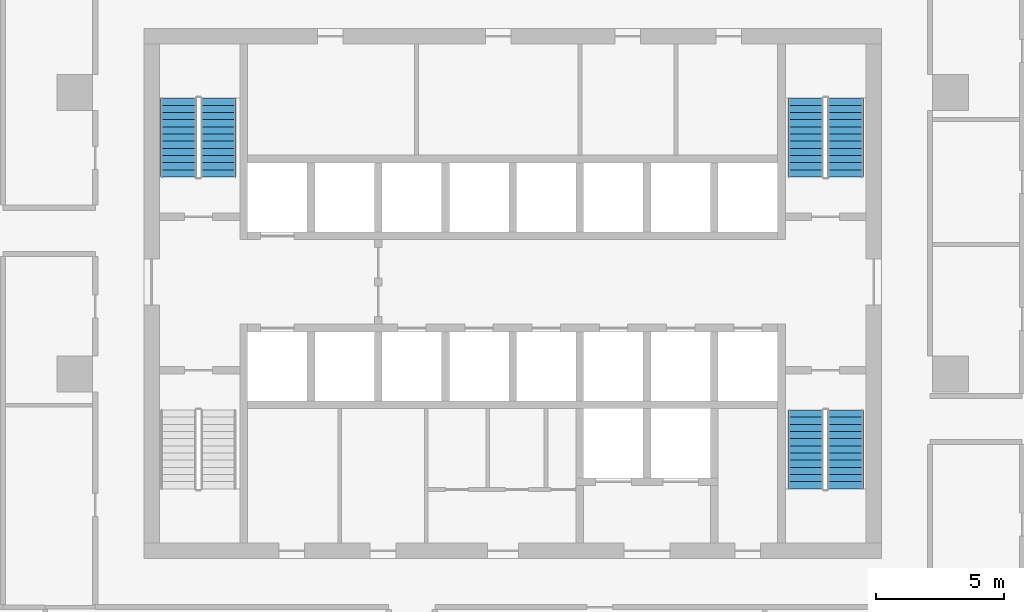
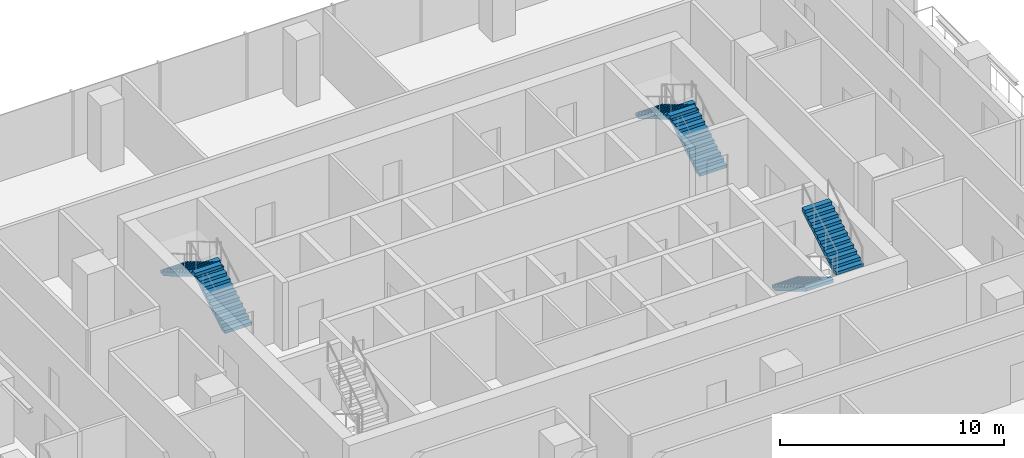
# One storey, part 11 of 15: 6 stair flights, 3 elements without a shape of their own.
"""IFC4 building model written with IfcOpenShell, lengths in metres."""

from ifc_helpers import new_model, si_unit, direction, frame, origin, place, context, subcontext, project, spatial, polyline, outline, extrude, material, type_object, element, aggregate, save


model = new_model("IFC4")

# Units and contexts
model_context = context("Model", 3, precision=1e-05, world=origin(), true_north=direction((0.0, 1.0)))
body_context = subcontext(model_context, "Body", "Model", "MODEL_VIEW")
ifc_project = project(units=[si_unit("LENGTHUNIT", "METRE"), si_unit("AREAUNIT", "SQUARE_METRE"), si_unit("VOLUMEUNIT", "CUBIC_METRE"), si_unit("PLANEANGLEUNIT", "RADIAN"), si_unit("MASSUNIT", "GRAM", prefix="KILO")], contexts=[model_context])

# Site, building, storey
site_placement = place(None, origin())
site = spatial("IfcSite", under=ifc_project, at=site_placement, CompositionType="ELEMENT")
building_placement = place(site_placement, origin())
building = spatial("IfcBuilding", under=site, at=building_placement, Name="Mopane Tessera Tower", CompositionType="ELEMENT")
storey_placement = place(building_placement, frame((0.0, 0.0, 173.0)))
storey = spatial("IfcBuildingStorey", under=building, at=storey_placement, Name="L35", CompositionType="ELEMENT", Elevation=173.0)

# Stair, stair flights
ifc_material_1 = material(Name="Concrete C50/60", Category="concrete")
stair_type = type_object("IfcStairType", Name="Escape stair 1400 mm, riser 167 mm", PredefinedType="HALF_TURN_STAIR", material=ifc_material_1)
stair_1_placement = place(storey_placement, origin())
stair_1 = element("IfcStair", 1, at=stair_1_placement, inside=storey, type_object=stair_type, Name="L35 Escape stair north-west", PredefinedType="HALF_TURN_STAIR")
ifc_material_2 = material(Name="Concrete C50/60", Category="concrete")
stair_flight_type = type_object("IfcStairFlightType", Name="Escape stair flight 1400 mm", PredefinedType="STRAIGHT", material=ifc_material_2)
stair_flight_1_placement = place(storey_placement, frame((-11.5, 7.699951171875, 0.0), z_axis=(0.0, 0.0, 1.0), x_axis=(0.0, 1.0, 0.0)))
stair_flight_1 = element("IfcStairFlight", 2, at=stair_flight_1_placement, type_object=stair_flight_type, Name="ST2 flight 1", NumberOfRisers=12, NumberOfTreads=11, PredefinedType="STRAIGHT", RiserHeight=0.166666667, TreadLength=0.28, context=body_context, shape_type="SweptSolid", body=[
    extrude(outline(polyline([(0.0, 0.0), (0.0, 0.166748046875), (0.280029296875, 0.166748046875), (0.280029296875, 0.333251953125), (0.56005859375, 0.333251953125), (0.56005859375, 0.5), (0.840087890625, 0.5), (0.840087890625, 0.666748046875), (1.1201171875, 0.666748046875), (1.1201171875, 0.833251953125), (1.39990234375, 0.833251953125), (1.39990234375, 1.0), (1.679931640625, 1.0), (1.679931640625, 1.166748046875), (1.9599609375, 1.166748046875), (1.9599609375, 1.333251953125), (2.239990234375, 1.333251953125), (2.239990234375, 1.5), (2.52001953125, 1.5), (2.52001953125, 1.666748046875), (2.800048828125, 1.666748046875), (2.800048828125, 1.833251953125), (3.080078125, 1.833251953125), (3.080078125, 2.0), (3.080078125, 1.658935546875), (0.29296875, 0.0), (0.0, 0.0)])), frame((0.0, 0.699951171875, 0.0), z_axis=(0.0, -1.0, 0.0), x_axis=(1.0, 0.0, 0.0)), (0.0, 0.0, 1.0), 1.39990234375),
])
stair_flight_2_placement = place(storey_placement, frame((-13.050048828125, 10.780029296875, 2.0), z_axis=(0.0, 0.0, 1.0), x_axis=(0.0, -1.0, 0.0)))
stair_flight_2 = element("IfcStairFlight", 3, at=stair_flight_2_placement, type_object=stair_flight_type, Name="ST2 flight 2", NumberOfRisers=12, NumberOfTreads=11, PredefinedType="STRAIGHT", RiserHeight=0.166666667, TreadLength=0.28, context=body_context, shape_type="SweptSolid", body=[
    extrude(outline(polyline([(0.0, 0.0), (0.0, 0.166748046875), (0.280029296875, 0.166748046875), (0.280029296875, 0.333251953125), (0.56005859375, 0.333251953125), (0.56005859375, 0.5), (0.840087890625, 0.5), (0.840087890625, 0.666748046875), (1.1201171875, 0.666748046875), (1.1201171875, 0.833251953125), (1.39990234375, 0.833251953125), (1.39990234375, 1.0), (1.679931640625, 1.0), (1.679931640625, 1.166748046875), (1.9599609375, 1.166748046875), (1.9599609375, 1.333251953125), (2.239990234375, 1.333251953125), (2.239990234375, 1.5), (2.52001953125, 1.5), (2.52001953125, 1.666748046875), (2.800048828125, 1.666748046875), (2.800048828125, 1.833251953125), (3.080078125, 1.833251953125), (3.080078125, 2.0), (3.080078125, 1.658935546875), (0.29296875, 0.0), (0.0, 0.0)])), frame((0.0, 0.699951171875, 0.0), z_axis=(0.0, -1.0, 0.0), x_axis=(1.0, 0.0, 0.0)), (0.0, 0.0, 1.0), 1.39990234375),
])
aggregate(stair_1, [stair_flight_1, stair_flight_2])

stair_2_placement = place(storey_placement, origin())
stair_2 = element("IfcStair", 4, at=stair_2_placement, inside=storey, type_object=stair_type, Name="L35 Escape stair south-east", PredefinedType="HALF_TURN_STAIR")
stair_flight_3_placement = place(storey_placement, frame((11.449951171875, -1.39990234375, 0.0), z_axis=(0.0, 0.0, 1.0), x_axis=(0.0, -1.0, 0.0)))
stair_flight_3 = element("IfcStairFlight", 5, at=stair_flight_3_placement, type_object=stair_flight_type, Name="ST3 flight 1", NumberOfRisers=12, NumberOfTreads=11, PredefinedType="STRAIGHT", RiserHeight=0.166666667, TreadLength=0.28, context=body_context, shape_type="SweptSolid", body=[
    extrude(outline(polyline([(0.0, 0.0), (0.0, 0.166748046875), (0.280029296875, 0.166748046875), (0.280029296875, 0.333251953125), (0.56005859375, 0.333251953125), (0.56005859375, 0.5), (0.840087890625, 0.5), (0.840087890625, 0.666748046875), (1.1201171875, 0.666748046875), (1.1201171875, 0.833251953125), (1.39990234375, 0.833251953125), (1.39990234375, 1.0), (1.679931640625, 1.0), (1.679931640625, 1.166748046875), (1.9599609375, 1.166748046875), (1.9599609375, 1.333251953125), (2.239990234375, 1.333251953125), (2.239990234375, 1.5), (2.52001953125, 1.5), (2.52001953125, 1.666748046875), (2.800048828125, 1.666748046875), (2.800048828125, 1.833251953125), (3.080078125, 1.833251953125), (3.080078125, 2.0), (3.080078125, 1.658935546875), (0.29296875, 0.0), (0.0, 0.0)])), frame((0.0, 0.699951171875, 0.0), z_axis=(0.0, -1.0, 0.0), x_axis=(1.0, 0.0, 0.0)), (0.0, 0.0, 1.0), 1.39990234375),
])
stair_flight_4_placement = place(storey_placement, frame((13.0, -4.47998046875, 2.0), z_axis=(0.0, 0.0, 1.0), x_axis=(0.0, 1.0, 0.0)))
stair_flight_4 = element("IfcStairFlight", 6, at=stair_flight_4_placement, type_object=stair_flight_type, Name="ST3 flight 2", NumberOfRisers=12, NumberOfTreads=11, PredefinedType="STRAIGHT", RiserHeight=0.166666667, TreadLength=0.28, context=body_context, shape_type="SweptSolid", body=[
    extrude(outline(polyline([(0.0, 0.0), (0.0, 0.166748046875), (0.280029296875, 0.166748046875), (0.280029296875, 0.333251953125), (0.56005859375, 0.333251953125), (0.56005859375, 0.5), (0.840087890625, 0.5), (0.840087890625, 0.666748046875), (1.1201171875, 0.666748046875), (1.1201171875, 0.833251953125), (1.39990234375, 0.833251953125), (1.39990234375, 1.0), (1.679931640625, 1.0), (1.679931640625, 1.166748046875), (1.9599609375, 1.166748046875), (1.9599609375, 1.333251953125), (2.239990234375, 1.333251953125), (2.239990234375, 1.5), (2.52001953125, 1.5), (2.52001953125, 1.666748046875), (2.800048828125, 1.666748046875), (2.800048828125, 1.833251953125), (3.080078125, 1.833251953125), (3.080078125, 2.0), (3.080078125, 1.658935546875), (0.29296875, 0.0), (0.0, 0.0)])), frame((0.0, 0.699951171875, 0.0), z_axis=(0.0, -1.0, 0.0), x_axis=(1.0, 0.0, 0.0)), (0.0, 0.0, 1.0), 1.39990234375),
])
aggregate(stair_2, [stair_flight_3, stair_flight_4])

stair_3_placement = place(storey_placement, origin())
stair_3 = element("IfcStair", 7, at=stair_3_placement, inside=storey, type_object=stair_type, Name="L35 Escape stair north-east", PredefinedType="HALF_TURN_STAIR")
stair_flight_5_placement = place(storey_placement, frame((13.0, 7.699951171875, 0.0), z_axis=(0.0, 0.0, 1.0), x_axis=(0.0, 1.0, 0.0)))
stair_flight_5 = element("IfcStairFlight", 8, at=stair_flight_5_placement, type_object=stair_flight_type, Name="ST4 flight 1", NumberOfRisers=12, NumberOfTreads=11, PredefinedType="STRAIGHT", RiserHeight=0.166666667, TreadLength=0.28, context=body_context, shape_type="SweptSolid", body=[
    extrude(outline(polyline([(0.0, 0.0), (0.0, 0.166748046875), (0.280029296875, 0.166748046875), (0.280029296875, 0.333251953125), (0.56005859375, 0.333251953125), (0.56005859375, 0.5), (0.840087890625, 0.5), (0.840087890625, 0.666748046875), (1.1201171875, 0.666748046875), (1.1201171875, 0.833251953125), (1.39990234375, 0.833251953125), (1.39990234375, 1.0), (1.679931640625, 1.0), (1.679931640625, 1.166748046875), (1.9599609375, 1.166748046875), (1.9599609375, 1.333251953125), (2.239990234375, 1.333251953125), (2.239990234375, 1.5), (2.52001953125, 1.5), (2.52001953125, 1.666748046875), (2.800048828125, 1.666748046875), (2.800048828125, 1.833251953125), (3.080078125, 1.833251953125), (3.080078125, 2.0), (3.080078125, 1.658935546875), (0.29296875, 0.0), (0.0, 0.0)])), frame((0.0, 0.699951171875, 0.0), z_axis=(0.0, -1.0, 0.0), x_axis=(1.0, 0.0, 0.0)), (0.0, 0.0, 1.0), 1.39990234375),
])
stair_flight_6_placement = place(storey_placement, frame((11.449951171875, 10.780029296875, 2.0), z_axis=(0.0, 0.0, 1.0), x_axis=(0.0, -1.0, 0.0)))
stair_flight_6 = element("IfcStairFlight", 9, at=stair_flight_6_placement, type_object=stair_flight_type, Name="ST4 flight 2", NumberOfRisers=12, NumberOfTreads=11, PredefinedType="STRAIGHT", RiserHeight=0.166666667, TreadLength=0.28, context=body_context, shape_type="SweptSolid", body=[
    extrude(outline(polyline([(0.0, 0.0), (0.0, 0.166748046875), (0.280029296875, 0.166748046875), (0.280029296875, 0.333251953125), (0.56005859375, 0.333251953125), (0.56005859375, 0.5), (0.840087890625, 0.5), (0.840087890625, 0.666748046875), (1.1201171875, 0.666748046875), (1.1201171875, 0.833251953125), (1.39990234375, 0.833251953125), (1.39990234375, 1.0), (1.679931640625, 1.0), (1.679931640625, 1.166748046875), (1.9599609375, 1.166748046875), (1.9599609375, 1.333251953125), (2.239990234375, 1.333251953125), (2.239990234375, 1.5), (2.52001953125, 1.5), (2.52001953125, 1.666748046875), (2.800048828125, 1.666748046875), (2.800048828125, 1.833251953125), (3.080078125, 1.833251953125), (3.080078125, 2.0), (3.080078125, 1.658935546875), (0.29296875, 0.0), (0.0, 0.0)])), frame((0.0, 0.699951171875, 0.0), z_axis=(0.0, -1.0, 0.0), x_axis=(1.0, 0.0, 0.0)), (0.0, 0.0, 1.0), 1.39990234375),
])
aggregate(stair_3, [stair_flight_5, stair_flight_6])

save(model, "model.ifc")
